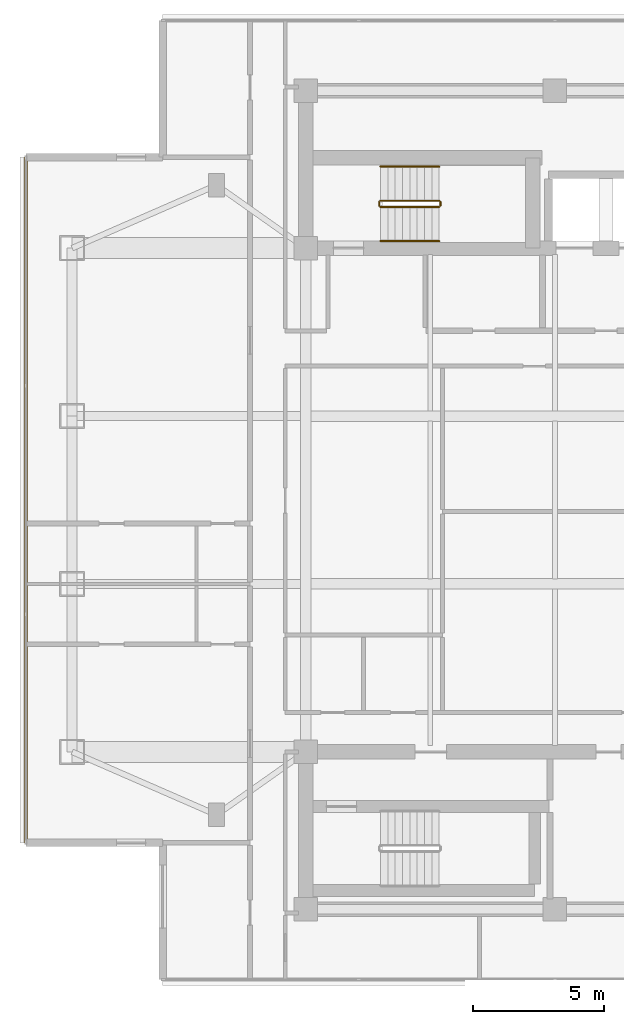
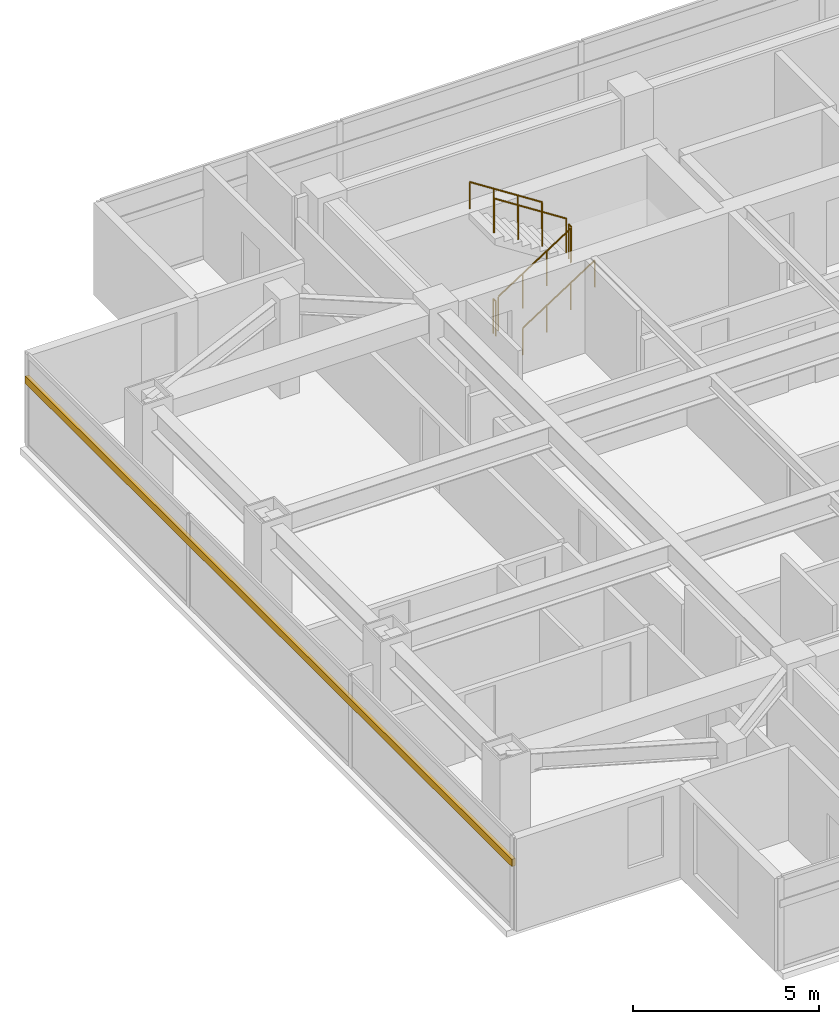
# One storey, part 20 of 24: 6 railings, 1 shading device.
"""IFC4 building model written with IfcOpenShell, lengths in metres."""

import ifcopenshell
import ifcopenshell.guid

model = None  # the IFC model being written
_history = None  # IfcOwnerHistory: only IFC2X3 demands one
_inside = {}  # id of a spatial element -> (the spatial element, [elements in it])
_under = {}  # id of a project, library or spatial element -> (it, [spatial elements below it])
_declared = {}  # id of a project -> (the project, [libraries it declares])
_typed = {}  # id of a type object -> (the type object, [elements of that type])
_made_of = {}  # id of a material, layer set ... -> (it, [elements and type objects made of it])


def new_model(schema):
    """Start an empty IFC model of exactly this schema.

    Asked for "IFC4X3", IfcOpenShell would pick the latest addendum, in which some entities
    have other attributes; the version numbers below select the first issue.
    IFC2X3 requires an IfcOwnerHistory on every rooted entity: one is made here for all.
    """
    global model, _history
    if schema == "IFC4X3":
        model = ifcopenshell.file(schema_version=(4, 3, 0, 0))
    else:
        model = ifcopenshell.file(schema=schema)
    _inside.clear()
    _under.clear()
    _declared.clear()
    _typed.clear()
    _made_of.clear()
    _history = None
    if model.schema == "IFC2X3":
        org = make("IfcOrganization", Name="unknown")
        user = make(
            "IfcPersonAndOrganization",
            ThePerson=make("IfcPerson", FamilyName="unknown"),
            TheOrganization=org,
        )
        app = make(
            "IfcApplication",
            ApplicationDeveloper=org,
            Version="unknown",
            ApplicationFullName="unknown",
            ApplicationIdentifier="unknown",
        )
        _history = make(
            "IfcOwnerHistory",
            OwningUser=user,
            OwningApplication=app,
            ChangeAction="ADDED",
            CreationDate=0,
        )
    return model


def make(cls, **values):
    """One entity of the class cls with the attributes given. An attribute that is None is left unset."""
    return model.create_entity(
        cls, **{name: value for name, value in values.items() if value is not None}
    )


def rooted(cls, **values):
    """An entity with a GlobalId (a new one), such as an element, a storey or a relation."""
    return make(cls, GlobalId=ifcopenshell.guid.new(), OwnerHistory=_history, **values)


def si_unit(unit_type, name, prefix=None):
    """IfcSIUnit, for example si_unit("LENGTHUNIT", "METRE", prefix="MILLI")."""
    return make("IfcSIUnit", UnitType=unit_type, Prefix=prefix, Name=name)


def assignment(units):
    """IfcUnitAssignment: the units of a project."""
    return None if units is None else make("IfcUnitAssignment", Units=units)


def point(xyz):
    """IfcCartesianPoint."""
    return None if xyz is None else make("IfcCartesianPoint", Coordinates=xyz)


def direction(xyz):
    """IfcDirection."""
    return None if xyz is None else make("IfcDirection", DirectionRatios=xyz)


def frame(location, z_axis=None, x_axis=None):
    """IfcAxis2Placement3D, a coordinate frame: its origin and axes. An axis left out is left unset."""
    return make(
        "IfcAxis2Placement3D",
        Location=point(location),
        Axis=direction(z_axis),
        RefDirection=direction(x_axis),
    )


def frame_2d(location, x_axis=None):
    """IfcAxis2Placement2D, a coordinate frame in the plane: its origin and x axis."""
    return make(
        "IfcAxis2Placement2D", Location=point(location), RefDirection=direction(x_axis)
    )


def origin():
    """The frame at (0, 0, 0) with its axes left unset."""
    return frame((0.0, 0.0, 0.0))


def origin_2d():
    """The frame at (0, 0) in the plane with its x axis left unset."""
    return frame_2d((0.0, 0.0))


def place(relative_to, where):
    """IfcLocalPlacement: puts the frame where relative to a parent placement (None: the world)."""
    return make(
        "IfcLocalPlacement", PlacementRelTo=relative_to, RelativePlacement=where
    )


def context(
    kind, dimensions, precision=None, world=None, true_north=None, identifier=None
):
    """IfcGeometricRepresentationContext, for example the 3D "Model" context."""
    return make(
        "IfcGeometricRepresentationContext",
        ContextIdentifier=identifier,
        ContextType=kind,
        CoordinateSpaceDimension=dimensions,
        Precision=precision,
        WorldCoordinateSystem=world,
        TrueNorth=true_north,
    )


def subcontext(parent, identifier, kind, view, scale=None):
    """IfcGeometricRepresentationSubContext, for example "Body" below "Model"."""
    return make(
        "IfcGeometricRepresentationSubContext",
        ContextIdentifier=identifier,
        ContextType=kind,
        ParentContext=parent,
        TargetScale=scale,
        TargetView=view,
    )


def project(units=None, contexts=None):
    """IfcProject with its units and contexts."""
    return rooted(
        "IfcProject",
        Name="project",
        RepresentationContexts=contexts,
        UnitsInContext=assignment(units),
    )


def spatial(cls, under=None, at=None, **own):
    """A site, building, storey or space (cls), placed at a placement, below another one or the project."""
    s = rooted(cls, ObjectPlacement=at, **own)
    if under is not None:
        _under.setdefault(under.id(), (under, []))[1].append(s)
    return s


def profile(cls, at=None, kind="AREA", **sizes):
    """A parametric profile (cls). Its sizes go by their IFC names, for example OverallWidth=200.0."""
    return make(cls, ProfileType=kind, Position=at, **sizes)


def rectangle(**sizes):
    """IfcRectangleProfileDef."""
    return profile("IfcRectangleProfileDef", **sizes)


def circle(**sizes):
    """IfcCircleProfileDef."""
    return profile("IfcCircleProfileDef", **sizes)


def extrude(swept, where, along, depth):
    """IfcExtrudedAreaSolid: the profile swept, set in the frame where, extruded along a direction by depth."""
    return make(
        "IfcExtrudedAreaSolid",
        SweptArea=swept,
        Position=where,
        ExtrudedDirection=direction(along),
        Depth=depth,
    )


def shape(context_of_items, identifier, shape_type, items):
    """IfcShapeRepresentation: the items that make up one representation, for example the "Body"."""
    return make(
        "IfcShapeRepresentation",
        ContextOfItems=context_of_items,
        RepresentationIdentifier=identifier,
        RepresentationType=shape_type,
        Items=items,
    )


def material(Name=None, Category=None):
    """IfcMaterial."""
    return make("IfcMaterial", Name=Name, Category=Category)


def material_profile(
    of_material, cross_section, Name=None, Category=None, Priority=None
):
    """IfcMaterialProfile: a cross section and its material."""
    return make(
        "IfcMaterialProfile",
        Name=Name,
        Material=of_material,
        Profile=cross_section,
        Priority=Priority,
        Category=Category,
    )


def profile_set(profiles, Name=None, composite=None):
    """IfcMaterialProfileSet."""
    return make(
        "IfcMaterialProfileSet",
        Name=Name,
        MaterialProfiles=profiles,
        CompositeProfile=composite,
    )


def made_of(thing, what):
    """Note that an element or type object is made of a material, layer set ...; save() writes the relation."""
    if what is not None:
        _made_of.setdefault(what.id(), (what, []))[1].append(thing)
    return thing


def type_object(cls, material=None, **own):
    """A type object (cls), such as IfcWallType, which elements share."""
    return made_of(rooted(cls, **own), material)


def element(
    cls,
    number,
    at=None,
    inside=None,
    cuts=None,
    type_object=None,
    material=None,
    context=None,
    identifier="Body",
    shape_type=None,
    held_by="IfcProductDefinitionShape",
    body=None,
    shapes=None,
    **own,
):
    """One element of the class cls, such as IfcWall. Its Tag is "e" and its number.

    at: its placement. inside: the storey or other place that contains it. cuts: it is an
    opening in that element (IfcRelVoidsElement). A single representation is given by context,
    identifier, shape_type and body (its items); several are given by shapes. held_by: the class
    of the entity that holds the representations. save() writes the other relations.
    """
    e = rooted(cls, Tag="e%d" % number, ObjectPlacement=at, **own)
    if body is not None:
        shapes = [shape(context, identifier, shape_type, body)]
    if shapes is not None:
        e.Representation = make(held_by, Representations=shapes)
    if inside is not None:
        _inside.setdefault(inside.id(), (inside, []))[1].append(e)
    if cuts is not None:
        rooted(
            "IfcRelVoidsElement", RelatingBuildingElement=cuts, RelatedOpeningElement=e
        )
    if type_object is not None:
        _typed.setdefault(type_object.id(), (type_object, []))[1].append(e)
    return made_of(e, material)


def aggregate(whole, parts):
    """IfcRelAggregates: a whole, such as a stair, and the parts it consists of."""
    return rooted("IfcRelAggregates", RelatingObject=whole, RelatedObjects=parts)


def save(model, path):
    """Write the relations noted so far, then the file.

    IfcRelAggregates (storeys below a building ...), IfcRelContainedInSpatialStructure (elements
    in a storey), IfcRelDefinesByType, IfcRelAssociatesMaterial and IfcRelDeclares: one each for
    every whole, place, type object, material and project.
    """
    for whole, parts in _under.values():
        aggregate(whole, parts)
    for where, things in _inside.values():
        rooted(
            "IfcRelContainedInSpatialStructure",
            RelatedElements=things,
            RelatingStructure=where,
        )
    for kind, things in _typed.values():
        rooted("IfcRelDefinesByType", RelatedObjects=things, RelatingType=kind)
    for what, things in _made_of.values():
        rooted("IfcRelAssociatesMaterial", RelatedObjects=things, RelatingMaterial=what)
    for by, libraries in _declared.values():
        rooted("IfcRelDeclares", RelatingContext=by, RelatedDefinitions=libraries)
    model.write(path)


model = new_model("IFC4")

# Units and contexts
model_context = context("Model", 3, precision=1e-05, world=origin(), true_north=direction((0.0, 1.0)))
body_context = subcontext(model_context, "Body", "Model", "MODEL_VIEW")
ifc_project = project(units=[si_unit("LENGTHUNIT", "METRE"), si_unit("AREAUNIT", "SQUARE_METRE"), si_unit("VOLUMEUNIT", "CUBIC_METRE"), si_unit("PLANEANGLEUNIT", "RADIAN"), si_unit("MASSUNIT", "GRAM", prefix="KILO")], contexts=[model_context])

# Site, building, storey
site_placement = place(None, origin())
site = spatial("IfcSite", under=ifc_project, at=site_placement, CompositionType="ELEMENT")
building_placement = place(site_placement, origin())
building = spatial("IfcBuilding", under=site, at=building_placement, Name="Mirazonda Arch Towers", CompositionType="ELEMENT")
storey_placement = place(building_placement, frame((0.0, 0.0, 193.39990234375)))
storey = spatial("IfcBuildingStorey", under=building, at=storey_placement, Name="L55", CompositionType="ELEMENT", Elevation=193.39990234375)

# Shading device
ifc_material_1 = material(Name="Kiln-Fired Architectural Terracotta", Category="masonry")
ifc_material_profile = material_profile(ifc_material_1, rectangle(XDim=0.1201171875, YDim=0.239990234375, at=origin_2d()), Name="TERRA-BAG-120x240")
ifc_profile_set = profile_set([ifc_material_profile], Name="Kiln-Fired Architectural Terracotta")
shading_device_type = type_object("IfcShadingDeviceType", Name="BAGUETTE-1", PredefinedType="USERDEFINED", material=ifc_profile_set)
shading_device_placement = place(storey_placement, frame((0.330078125, 41.069091796875, 2.181640625), z_axis=(0.0, -1.0, 0.0), x_axis=(1.0, 0.0, 0.0)))
element("IfcShadingDevice", 1, at=shading_device_placement, inside=storey, type_object=shading_device_type, Name="L55 Glazed Terracotta Sun-Screen Baguette CW-L55-T1-W", ObjectType="BAGUETTE", PredefinedType="USERDEFINED", context=body_context, shape_type="SweptSolid", body=[
    extrude(rectangle(XDim=0.1201171875, YDim=0.239990234375, at=origin_2d()), origin(), (0.0, 0.0, 1.0), 26.13818359375),
])

# Railings
ifc_material_2 = material(Name="Architectural Brushed Steel S355", Category="steel")
railing_type_1 = type_object("IfcRailingType", Name="GUARD-STAIR-1120", PredefinedType="GUARDRAIL", material=ifc_material_2)
railing_1_placement = place(storey_placement, frame((13.85009765625, 39.169921875, 0.1806640625)))
element("IfcRailing", 2, at=railing_1_placement, inside=storey, type_object=railing_type_1, Name="L55 ST-T1N stair guard 1", PredefinedType="GUARDRAIL", context=body_context, shape_type="SweptSolid", body=[
    extrude(circle(Radius=0.02392578125, at=origin_2d()), frame((0.0, 0.0, 1.1259765625), z_axis=(0.840436612492, 0.0, 0.541909863706), x_axis=(0.0, 1.0, 0.0)), (0.0, 0.0, 1.0), 2.665283203125),
    extrude(circle(Radius=0.02099609375, at=origin_2d()), origin(), (0.0, 0.0, 1.0), 1.101806640625),
    extrude(circle(Radius=0.02099609375, at=origin_2d()), frame((0.74658203125, 0.0, 0.4814453125)), (0.0, 0.0, 1.0), 1.101806640625),
    extrude(circle(Radius=0.02099609375, at=origin_2d()), frame((1.493408203125, 0.0, 0.962890625)), (0.0, 0.0, 1.0), 1.101806640625),
    extrude(circle(Radius=0.02099609375, at=origin_2d()), frame((2.239990234375, 0.0, 1.4443359375)), (0.0, 0.0, 1.0), 1.101806640625),
])
railing_2_placement = place(storey_placement, frame((16.139892578125, 39.219970703125, 1.625)))
element("IfcRailing", 3, at=railing_2_placement, inside=storey, type_object=railing_type_1, Name="L55 ST-T1N stair guard 2", PredefinedType="GUARDRAIL", context=body_context, shape_type="SweptSolid", body=[
    extrude(circle(Radius=0.02392578125, at=origin_2d()), frame((0.0, 0.0, 1.1259765625), z_axis=(0.0, 1.0, 0.0), x_axis=(-1.0, 0.0, 0.0)), (0.0, 0.0, 1.0), 0.14013671875),
    extrude(circle(Radius=0.02099609375, at=origin_2d()), origin(), (0.0, 0.0, 1.0), 1.101806640625),
    extrude(circle(Radius=0.02099609375, at=origin_2d()), frame((0.0, 0.14013671875, 0.0)), (0.0, 0.0, 1.0), 1.101806640625),
])
railing_3_placement = place(storey_placement, frame((16.090087890625, 39.409912109375, 1.8056640625)))
element("IfcRailing", 4, at=railing_3_placement, inside=storey, type_object=railing_type_1, Name="L55 ST-T1N stair guard 3", PredefinedType="GUARDRAIL", context=body_context, shape_type="SweptSolid", body=[
    extrude(circle(Radius=0.02392578125, at=origin_2d()), frame((0.0, 0.0, 1.1259765625), z_axis=(-0.840436612492, 0.0, 0.541909863706), x_axis=(0.0, -1.0, 0.0)), (0.0, 0.0, 1.0), 2.665283203125),
    extrude(circle(Radius=0.02099609375, at=origin_2d()), origin(), (0.0, 0.0, 1.0), 1.101806640625),
    extrude(circle(Radius=0.02099609375, at=origin_2d()), frame((-0.74658203125, 0.0, 0.4814453125)), (0.0, 0.0, 1.0), 1.101806640625),
    extrude(circle(Radius=0.02099609375, at=origin_2d()), frame((-1.493408203125, 0.0, 0.962890625)), (0.0, 0.0, 1.0), 1.101806640625),
    extrude(circle(Radius=0.02099609375, at=origin_2d()), frame((-2.239990234375, 0.0, 1.4443359375)), (0.0, 0.0, 1.0), 1.101806640625),
])
railing_4_placement = place(storey_placement, frame((13.800048828125, 39.219970703125, 0.0)))
element("IfcRailing", 5, at=railing_4_placement, inside=storey, type_object=railing_type_1, Name="L55 ST-T1N stair guard 4", PredefinedType="GUARDRAIL", context=body_context, shape_type="SweptSolid", body=[
    extrude(circle(Radius=0.02392578125, at=origin_2d()), frame((0.0, 0.0, 1.1259765625), z_axis=(0.0, 1.0, 0.0), x_axis=(-1.0, 0.0, 0.0)), (0.0, 0.0, 1.0), 0.14013671875),
    extrude(circle(Radius=0.02099609375, at=origin_2d()), origin(), (0.0, 0.0, 1.0), 1.101806640625),
    extrude(circle(Radius=0.02099609375, at=origin_2d()), frame((0.0, 0.14013671875, 0.0)), (0.0, 0.0, 1.0), 1.101806640625),
])
railing_type_2 = type_object("IfcRailingType", Name="HANDRAIL-915", PredefinedType="HANDRAIL", material=ifc_material_2)
railing_5_placement = place(storey_placement, frame((13.85009765625, 37.8701171875, 0.1806640625)))
element("IfcRailing", 6, at=railing_5_placement, inside=storey, type_object=railing_type_2, Name="L55 ST-T1N stair handrail 1", PredefinedType="HANDRAIL", context=body_context, shape_type="SweptSolid", body=[
    extrude(circle(Radius=0.02392578125, at=origin_2d()), frame((0.0, 0.0, 0.8759765625), z_axis=(0.840436612492, 0.0, 0.541909863706), x_axis=(0.0, 1.0, 0.0)), (0.0, 0.0, 1.0), 2.665283203125),
    extrude(circle(Radius=0.02099609375, at=origin_2d()), origin(), (0.0, 0.0, 1.0), 0.851806640625),
    extrude(circle(Radius=0.02099609375, at=origin_2d()), frame((0.74658203125, 0.0, 0.4814453125)), (0.0, 0.0, 1.0), 0.851806640625),
    extrude(circle(Radius=0.02099609375, at=origin_2d()), frame((1.493408203125, 0.0, 0.962890625)), (0.0, 0.0, 1.0), 0.851806640625),
    extrude(circle(Radius=0.02099609375, at=origin_2d()), frame((2.239990234375, 0.0, 1.4443359375)), (0.0, 0.0, 1.0), 0.851806640625),
])
railing_6_placement = place(storey_placement, frame((16.090087890625, 40.7099609375, 1.8056640625)))
element("IfcRailing", 7, at=railing_6_placement, inside=storey, type_object=railing_type_2, Name="L55 ST-T1N stair handrail 2", PredefinedType="HANDRAIL", context=body_context, shape_type="SweptSolid", body=[
    extrude(circle(Radius=0.02392578125, at=origin_2d()), frame((0.0, 0.0, 0.8759765625), z_axis=(-0.840436612492, 0.0, 0.541909863706), x_axis=(0.0, -1.0, 0.0)), (0.0, 0.0, 1.0), 2.665283203125),
    extrude(circle(Radius=0.02099609375, at=origin_2d()), origin(), (0.0, 0.0, 1.0), 0.851806640625),
    extrude(circle(Radius=0.02099609375, at=origin_2d()), frame((-0.74658203125, 0.0, 0.4814453125)), (0.0, 0.0, 1.0), 0.851806640625),
    extrude(circle(Radius=0.02099609375, at=origin_2d()), frame((-1.493408203125, 0.0, 0.962890625)), (0.0, 0.0, 1.0), 0.851806640625),
    extrude(circle(Radius=0.02099609375, at=origin_2d()), frame((-2.239990234375, 0.0, 1.4443359375)), (0.0, 0.0, 1.0), 0.851806640625),
])

save(model, "model.ifc")
